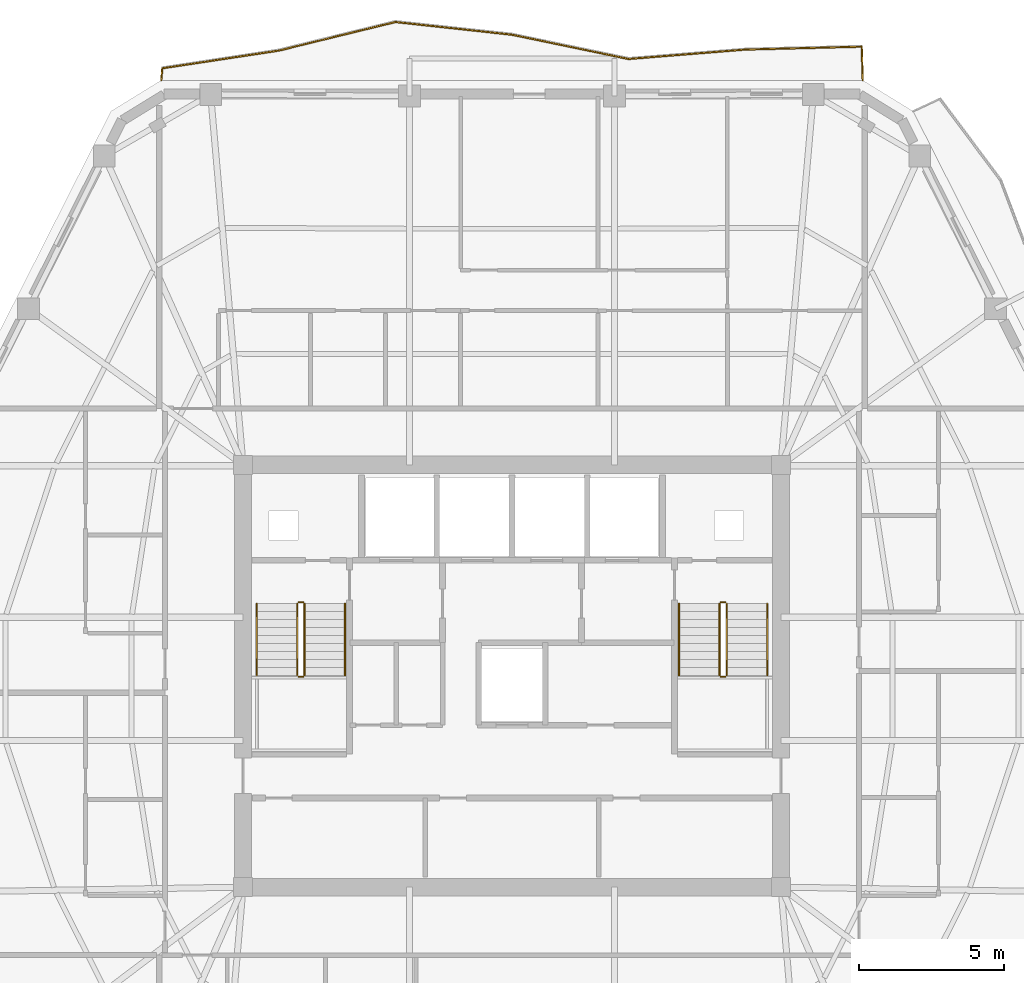
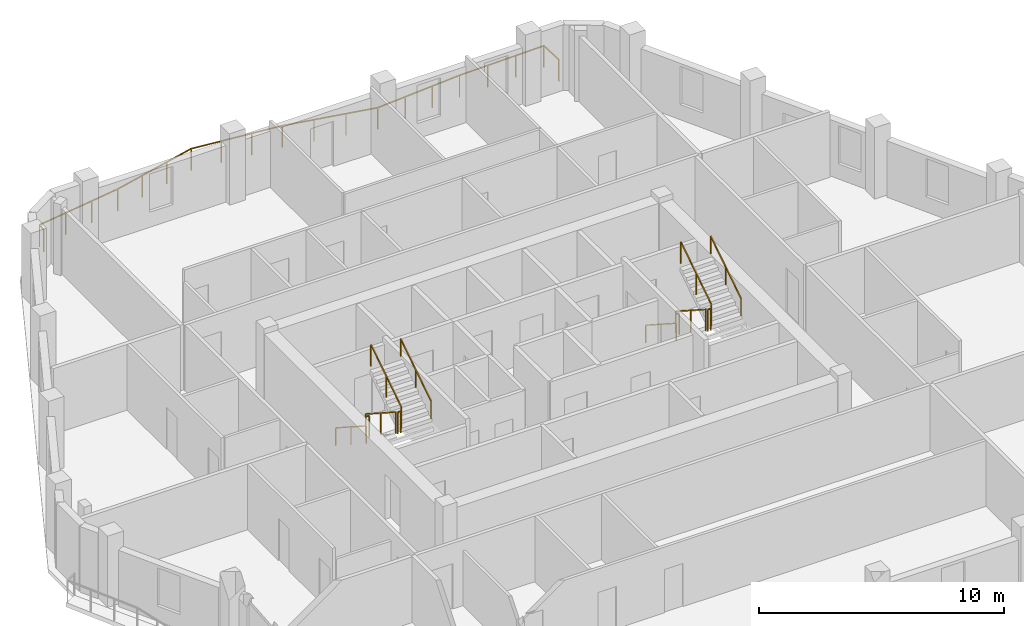
# One storey, part 9 of 10: 13 railings.
"""IFC4 building model written with IfcOpenShell, lengths in metres."""

from ifc_helpers import new_model, si_unit, direction, frame, origin, origin_2d, place, context, subcontext, project, spatial, rectangle, extrude, material, type_object, element, save


model = new_model("IFC4")

# Units and contexts
model_context = context("Model", 3, precision=1e-05, world=origin(), true_north=direction((0.0, 1.0)))
body_context = subcontext(model_context, "Body", "Model", "MODEL_VIEW")
ifc_project = project(units=[si_unit("LENGTHUNIT", "METRE"), si_unit("AREAUNIT", "SQUARE_METRE"), si_unit("VOLUMEUNIT", "CUBIC_METRE"), si_unit("PLANEANGLEUNIT", "RADIAN"), si_unit("MASSUNIT", "GRAM", prefix="KILO")], contexts=[model_context])

# Site, building, storey
site_placement = place(None, origin())
site = spatial("IfcSite", under=ifc_project, at=site_placement, CompositionType="ELEMENT")
building_placement = place(site_placement, origin())
building = spatial("IfcBuilding", under=site, at=building_placement, Name="Cinnabar Lancet Tower", CompositionType="ELEMENT")
storey_placement = place(building_placement, frame((0.0, 0.0, 218.050048828125)))
storey = spatial("IfcBuildingStorey", under=building, at=storey_placement, Name="L58", CompositionType="ELEMENT", Elevation=218.050048828125)

# Railings
ifc_material_1 = material(Name="Laminated safety glass and bronze stainless steel balustrade", Category="steel")
railing_type_1 = type_object("IfcRailingType", Name="ENV-RLG-BAL-1100", PredefinedType="BALUSTRADE", material=ifc_material_1)
railing_1_placement = place(storey_placement, frame((44.528076171875, 46.5, 0.0)))
element("IfcRailing", 1, at=railing_1_placement, inside=storey, type_object=railing_type_1, Name="L58 Face 4 Wave Balcony Balustrade", PredefinedType="BALUSTRADE", context=body_context, shape_type="SweptSolid", body=[
    extrude(rectangle(XDim=0.048095703125, YDim=0.048095703125, at=origin_2d()), frame((0.0, 0.0, 1.076171875), z_axis=(-0.029399051602, 0.999567754464, 0.0), x_axis=(-0.999567754464, -0.029399051602, 0.0)), (0.0, 0.0, 1.0), 1.16259765625),
    extrude(rectangle(XDim=0.048095703125, YDim=0.048095703125, at=origin_2d()), frame((-0.0341796875, 1.162109375, 1.076171875), z_axis=(-0.99969212841, -0.024812263009, 0.0), x_axis=(0.024812263009, -0.99969212841, 0.0)), (0.0, 0.0, 1.0), 4.0341796875),
    extrude(rectangle(XDim=0.048095703125, YDim=0.048095703125, at=origin_2d()), frame((-4.067138671875, 1.06201171875, 1.076171875), z_axis=(-0.996747159902, -0.080592178455, 0.0), x_axis=(0.080592178455, -0.996747159902, 0.0)), (0.0, 0.0, 1.0), 4.044189453125),
    extrude(rectangle(XDim=0.048095703125, YDim=0.048095703125, at=origin_2d()), frame((-8.09814453125, 0.736083984375, 1.076171875), z_axis=(-0.979015438129, 0.203786093501, 0.0), x_axis=(-0.203786093501, -0.979015438129, 0.0)), (0.0, 0.0, 1.0), 4.116455078125),
    extrude(rectangle(XDim=0.048095703125, YDim=0.048095703125, at=origin_2d()), frame((-12.128173828125, 1.574951171875, 1.076171875), z_axis=(-0.994096982736, 0.108495110102, 0.0), x_axis=(-0.108495110102, -0.994096982736, 0.0)), (0.0, 0.0, 1.0), 4.054931640625),
    extrude(rectangle(XDim=0.048095703125, YDim=0.048095703125, at=origin_2d()), frame((-16.1591796875, 2.014892578125, 1.076171875), z_axis=(-0.971246794255, -0.238074913944, 0.0), x_axis=(0.238074913944, -0.971246794255, 0.0)), (0.0, 0.0, 1.0), 4.149169921875),
    extrude(rectangle(XDim=0.048095703125, YDim=0.048095703125, at=origin_2d()), frame((-20.18896484375, 1.027099609375, 1.076171875), z_axis=(-0.988639343502, -0.150307180403, 0.0), x_axis=(0.150307180403, -0.988639343502, 0.0)), (0.0, 0.0, 1.0), 4.07861328125),
    extrude(rectangle(XDim=0.048095703125, YDim=0.048095703125, at=origin_2d()), frame((-24.22119140625, 0.4140625, 1.076171875), z_axis=(-0.084017916803, -0.996464244043, 0.0), x_axis=(0.996464244043, -0.084017916803, 0.0)), (0.0, 0.0, 1.0), 0.41552734375),
    extrude(rectangle(XDim=0.0419921875, YDim=0.0419921875, at=origin_2d()), origin(), (0.0, 0.0, 1.0), 1.052001953125),
    extrude(rectangle(XDim=0.0419921875, YDim=0.0419921875, at=origin_2d()), frame((-0.0341796875, 1.162109375, 0.0)), (0.0, 0.0, 1.0), 1.052001953125),
    extrude(rectangle(XDim=0.0419921875, YDim=0.0419921875, at=origin_2d()), frame((-1.37841796875, 1.128662109375, 0.0)), (0.0, 0.0, 1.0), 1.052001953125),
    extrude(rectangle(XDim=0.0419921875, YDim=0.0419921875, at=origin_2d()), frame((-2.722900390625, 1.095458984375, 0.0)), (0.0, 0.0, 1.0), 1.052001953125),
    extrude(rectangle(XDim=0.0419921875, YDim=0.0419921875, at=origin_2d()), frame((-4.067138671875, 1.06201171875, 0.0)), (0.0, 0.0, 1.0), 1.052001953125),
    extrude(rectangle(XDim=0.0419921875, YDim=0.0419921875, at=origin_2d()), frame((-5.410888671875, 0.953369140625, 0.0)), (0.0, 0.0, 1.0), 1.052001953125),
    extrude(rectangle(XDim=0.0419921875, YDim=0.0419921875, at=origin_2d()), frame((-6.75439453125, 0.8447265625, 0.0)), (0.0, 0.0, 1.0), 1.052001953125),
    extrude(rectangle(XDim=0.0419921875, YDim=0.0419921875, at=origin_2d()), frame((-8.09814453125, 0.736083984375, 0.0)), (0.0, 0.0, 1.0), 1.052001953125),
    extrude(rectangle(XDim=0.0419921875, YDim=0.0419921875, at=origin_2d()), frame((-9.44140625, 1.015625, 0.0)), (0.0, 0.0, 1.0), 1.052001953125),
    extrude(rectangle(XDim=0.0419921875, YDim=0.0419921875, at=origin_2d()), frame((-10.784912109375, 1.29541015625, 0.0)), (0.0, 0.0, 1.0), 1.052001953125),
    extrude(rectangle(XDim=0.0419921875, YDim=0.0419921875, at=origin_2d()), frame((-12.128173828125, 1.574951171875, 0.0)), (0.0, 0.0, 1.0), 1.052001953125),
    extrude(rectangle(XDim=0.0419921875, YDim=0.0419921875, at=origin_2d()), frame((-13.471923828125, 1.7216796875, 0.0)), (0.0, 0.0, 1.0), 1.052001953125),
    extrude(rectangle(XDim=0.0419921875, YDim=0.0419921875, at=origin_2d()), frame((-14.8154296875, 1.8681640625, 0.0)), (0.0, 0.0, 1.0), 1.052001953125),
    extrude(rectangle(XDim=0.0419921875, YDim=0.0419921875, at=origin_2d()), frame((-16.1591796875, 2.014892578125, 0.0)), (0.0, 0.0, 1.0), 1.052001953125),
    extrude(rectangle(XDim=0.0419921875, YDim=0.0419921875, at=origin_2d()), frame((-17.50244140625, 1.685546875, 0.0)), (0.0, 0.0, 1.0), 1.052001953125),
    extrude(rectangle(XDim=0.0419921875, YDim=0.0419921875, at=origin_2d()), frame((-18.845703125, 1.3564453125, 0.0)), (0.0, 0.0, 1.0), 1.052001953125),
    extrude(rectangle(XDim=0.0419921875, YDim=0.0419921875, at=origin_2d()), frame((-20.18896484375, 1.027099609375, 0.0)), (0.0, 0.0, 1.0), 1.052001953125),
    extrude(rectangle(XDim=0.0419921875, YDim=0.0419921875, at=origin_2d()), frame((-21.532958984375, 0.82275390625, 0.0)), (0.0, 0.0, 1.0), 1.052001953125),
    extrude(rectangle(XDim=0.0419921875, YDim=0.0419921875, at=origin_2d()), frame((-22.877197265625, 0.618408203125, 0.0)), (0.0, 0.0, 1.0), 1.052001953125),
    extrude(rectangle(XDim=0.0419921875, YDim=0.0419921875, at=origin_2d()), frame((-24.22119140625, 0.4140625, 0.0)), (0.0, 0.0, 1.0), 1.052001953125),
    extrude(rectangle(XDim=0.0419921875, YDim=0.0419921875, at=origin_2d()), frame((-24.256103515625, 0.0, 0.0)), (0.0, 0.0, 1.0), 1.052001953125),
])
ifc_material_2 = material(Name="Painted galvanized steel balustrade", Category="steel")
railing_type_2 = type_object("IfcRailingType", Name="GUARD-STAIR", PredefinedType="GUARDRAIL", material=ifc_material_2)
railing_2_placement = place(storey_placement, frame((24.97509765625, 28.39990234375, 0.177490234375)))
element("IfcRailing", 2, at=railing_2_placement, inside=storey, type_object=railing_type_2, Name="L58 ST-1 stair guard 1", PredefinedType="GUARDRAIL", context=body_context, shape_type="SweptSolid", body=[
    extrude(rectangle(XDim=0.048095703125, YDim=0.048095703125, at=origin_2d()), frame((0.0, 0.0, 1.076171875), z_axis=(0.0, -0.840183358697, 0.542302428327), x_axis=(1.0, 0.0, 0.0)), (0.0, 0.0, 1.0), 2.945556640625),
    extrude(rectangle(XDim=0.0419921875, YDim=0.0419921875, at=origin_2d()), origin(), (0.0, 0.0, 1.0), 1.052001953125),
    extrude(rectangle(XDim=0.0419921875, YDim=0.0419921875, at=origin_2d()), frame((0.0, -1.2373046875, 0.798828125)), (0.0, 0.0, 1.0), 1.052001953125),
    extrude(rectangle(XDim=0.0419921875, YDim=0.0419921875, at=origin_2d()), frame((0.0, -2.474853515625, 1.597412109375)), (0.0, 0.0, 1.0), 1.052001953125),
])
railing_3_placement = place(storey_placement, frame((25.02490234375, 25.875, 1.77490234375)))
element("IfcRailing", 3, at=railing_3_placement, inside=storey, type_object=railing_type_2, Name="L58 ST-1 stair guard 2", PredefinedType="GUARDRAIL", context=body_context, shape_type="SweptSolid", body=[
    extrude(rectangle(XDim=0.048095703125, YDim=0.048095703125, at=origin_2d()), frame((0.0, 0.0, 1.076171875), z_axis=(1.0, 0.0, 0.0), x_axis=(0.0, 1.0, 0.0)), (0.0, 0.0, 1.0), 0.150146484375),
    extrude(rectangle(XDim=0.0419921875, YDim=0.0419921875, at=origin_2d()), origin(), (0.0, 0.0, 1.0), 1.052001953125),
    extrude(rectangle(XDim=0.0419921875, YDim=0.0419921875, at=origin_2d()), frame((0.150146484375, 0.0, 0.0)), (0.0, 0.0, 1.0), 1.052001953125),
])
railing_4_placement = place(storey_placement, frame((25.22509765625, 25.925048828125, 1.952392578125)))
element("IfcRailing", 4, at=railing_4_placement, inside=storey, type_object=railing_type_2, Name="L58 ST-1 stair guard 3", PredefinedType="GUARDRAIL", context=body_context, shape_type="SweptSolid", body=[
    extrude(rectangle(XDim=0.048095703125, YDim=0.048095703125, at=origin_2d()), frame((0.0, 0.0, 1.076171875), z_axis=(0.0, 0.84014559416, 0.542360932049), x_axis=(-1.0, 0.0, 0.0)), (0.0, 0.0, 1.0), 2.94580078125),
    extrude(rectangle(XDim=0.0419921875, YDim=0.0419921875, at=origin_2d()), origin(), (0.0, 0.0, 1.0), 1.052001953125),
    extrude(rectangle(XDim=0.0419921875, YDim=0.0419921875, at=origin_2d()), frame((0.0, 1.2373046875, 0.798828125)), (0.0, 0.0, 1.0), 1.052001953125),
    extrude(rectangle(XDim=0.0419921875, YDim=0.0419921875, at=origin_2d()), frame((0.0, 2.474853515625, 1.59765625)), (0.0, 0.0, 1.0), 1.052001953125),
])
railing_5_placement = place(storey_placement, frame((25.02490234375, 28.449951171875, 0.0)))
element("IfcRailing", 5, at=railing_5_placement, inside=storey, type_object=railing_type_2, Name="L58 ST-1 stair guard 4", PredefinedType="GUARDRAIL", context=body_context, shape_type="SweptSolid", body=[
    extrude(rectangle(XDim=0.048095703125, YDim=0.048095703125, at=origin_2d()), frame((0.0, 0.0, 1.076171875), z_axis=(1.0, 0.0, 0.0), x_axis=(0.0, 1.0, 0.0)), (0.0, 0.0, 1.0), 0.150146484375),
    extrude(rectangle(XDim=0.0419921875, YDim=0.0419921875, at=origin_2d()), origin(), (0.0, 0.0, 1.0), 1.052001953125),
    extrude(rectangle(XDim=0.0419921875, YDim=0.0419921875, at=origin_2d()), frame((0.150146484375, 0.0, 0.0)), (0.0, 0.0, 1.0), 1.052001953125),
])
railing_6_placement = place(storey_placement, frame((39.574951171875, 28.39990234375, 0.177490234375)))
element("IfcRailing", 6, at=railing_6_placement, inside=storey, type_object=railing_type_2, Name="L58 ST-2 stair guard 1", PredefinedType="GUARDRAIL", context=body_context, shape_type="SweptSolid", body=[
    extrude(rectangle(XDim=0.048095703125, YDim=0.048095703125, at=origin_2d()), frame((0.0, 0.0, 1.076171875), z_axis=(0.0, -0.840183358697, 0.542302428327), x_axis=(1.0, 0.0, 0.0)), (0.0, 0.0, 1.0), 2.945556640625),
    extrude(rectangle(XDim=0.0419921875, YDim=0.0419921875, at=origin_2d()), origin(), (0.0, 0.0, 1.0), 1.052001953125),
    extrude(rectangle(XDim=0.0419921875, YDim=0.0419921875, at=origin_2d()), frame((0.0, -1.2373046875, 0.798828125)), (0.0, 0.0, 1.0), 1.052001953125),
    extrude(rectangle(XDim=0.0419921875, YDim=0.0419921875, at=origin_2d()), frame((0.0, -2.474853515625, 1.597412109375)), (0.0, 0.0, 1.0), 1.052001953125),
])
railing_7_placement = place(storey_placement, frame((39.625, 25.875, 1.77490234375)))
element("IfcRailing", 7, at=railing_7_placement, inside=storey, type_object=railing_type_2, Name="L58 ST-2 stair guard 2", PredefinedType="GUARDRAIL", context=body_context, shape_type="SweptSolid", body=[
    extrude(rectangle(XDim=0.048095703125, YDim=0.048095703125, at=origin_2d()), frame((0.0, 0.0, 1.076171875), z_axis=(1.0, 0.0, 0.0), x_axis=(0.0, 1.0, 0.0)), (0.0, 0.0, 1.0), 0.14990234375),
    extrude(rectangle(XDim=0.0419921875, YDim=0.0419921875, at=origin_2d()), origin(), (0.0, 0.0, 1.0), 1.052001953125),
    extrude(rectangle(XDim=0.0419921875, YDim=0.0419921875, at=origin_2d()), frame((0.14990234375, 0.0, 0.0)), (0.0, 0.0, 1.0), 1.052001953125),
])
railing_8_placement = place(storey_placement, frame((39.824951171875, 25.925048828125, 1.952392578125)))
element("IfcRailing", 8, at=railing_8_placement, inside=storey, type_object=railing_type_2, Name="L58 ST-2 stair guard 3", PredefinedType="GUARDRAIL", context=body_context, shape_type="SweptSolid", body=[
    extrude(rectangle(XDim=0.048095703125, YDim=0.048095703125, at=origin_2d()), frame((0.0, 0.0, 1.076171875), z_axis=(0.0, 0.84014559416, 0.542360932049), x_axis=(-1.0, 0.0, 0.0)), (0.0, 0.0, 1.0), 2.94580078125),
    extrude(rectangle(XDim=0.0419921875, YDim=0.0419921875, at=origin_2d()), origin(), (0.0, 0.0, 1.0), 1.052001953125),
    extrude(rectangle(XDim=0.0419921875, YDim=0.0419921875, at=origin_2d()), frame((0.0, 1.2373046875, 0.798828125)), (0.0, 0.0, 1.0), 1.052001953125),
    extrude(rectangle(XDim=0.0419921875, YDim=0.0419921875, at=origin_2d()), frame((0.0, 2.474853515625, 1.59765625)), (0.0, 0.0, 1.0), 1.052001953125),
])
railing_9_placement = place(storey_placement, frame((39.625, 28.449951171875, 0.0)))
element("IfcRailing", 9, at=railing_9_placement, inside=storey, type_object=railing_type_2, Name="L58 ST-2 stair guard 4", PredefinedType="GUARDRAIL", context=body_context, shape_type="SweptSolid", body=[
    extrude(rectangle(XDim=0.048095703125, YDim=0.048095703125, at=origin_2d()), frame((0.0, 0.0, 1.076171875), z_axis=(1.0, 0.0, 0.0), x_axis=(0.0, 1.0, 0.0)), (0.0, 0.0, 1.0), 0.14990234375),
    extrude(rectangle(XDim=0.0419921875, YDim=0.0419921875, at=origin_2d()), origin(), (0.0, 0.0, 1.0), 1.052001953125),
    extrude(rectangle(XDim=0.0419921875, YDim=0.0419921875, at=origin_2d()), frame((0.14990234375, 0.0, 0.0)), (0.0, 0.0, 1.0), 1.052001953125),
])
ifc_material_3 = material(Name="Brushed stainless steel handrail", Category="steel")
railing_type_3 = type_object("IfcRailingType", Name="HANDRAIL-STAIR", PredefinedType="HANDRAIL", material=ifc_material_3)
railing_10_placement = place(storey_placement, frame((23.574951171875, 28.39990234375, 0.177490234375)))
element("IfcRailing", 10, at=railing_10_placement, inside=storey, type_object=railing_type_3, Name="L58 ST-1 stair handrail 1", PredefinedType="HANDRAIL", context=body_context, shape_type="SweptSolid", body=[
    extrude(rectangle(XDim=0.048095703125, YDim=0.048095703125, at=origin_2d()), frame((0.0, 0.0, 0.8759765625), z_axis=(0.0, -0.840183358697, 0.542302428327), x_axis=(1.0, 0.0, 0.0)), (0.0, 0.0, 1.0), 2.945556640625),
    extrude(rectangle(XDim=0.0419921875, YDim=0.0419921875, at=origin_2d()), origin(), (0.0, 0.0, 1.0), 0.851806640625),
    extrude(rectangle(XDim=0.0419921875, YDim=0.0419921875, at=origin_2d()), frame((0.0, -1.2373046875, 0.798828125)), (0.0, 0.0, 1.0), 0.851806640625),
    extrude(rectangle(XDim=0.0419921875, YDim=0.0419921875, at=origin_2d()), frame((0.0, -2.474853515625, 1.597412109375)), (0.0, 0.0, 1.0), 0.851806640625),
])
railing_11_placement = place(storey_placement, frame((26.625, 25.925048828125, 1.952392578125)))
element("IfcRailing", 11, at=railing_11_placement, inside=storey, type_object=railing_type_3, Name="L58 ST-1 stair handrail 2", PredefinedType="HANDRAIL", context=body_context, shape_type="SweptSolid", body=[
    extrude(rectangle(XDim=0.048095703125, YDim=0.048095703125, at=origin_2d()), frame((0.0, 0.0, 0.8759765625), z_axis=(0.0, 0.84014559416, 0.542360932049), x_axis=(-1.0, 0.0, 0.0)), (0.0, 0.0, 1.0), 2.94580078125),
    extrude(rectangle(XDim=0.0419921875, YDim=0.0419921875, at=origin_2d()), origin(), (0.0, 0.0, 1.0), 0.851806640625),
    extrude(rectangle(XDim=0.0419921875, YDim=0.0419921875, at=origin_2d()), frame((0.0, 1.2373046875, 0.798828125)), (0.0, 0.0, 1.0), 0.851806640625),
    extrude(rectangle(XDim=0.0419921875, YDim=0.0419921875, at=origin_2d()), frame((0.0, 2.474853515625, 1.59765625)), (0.0, 0.0, 1.0), 0.851806640625),
])
railing_12_placement = place(storey_placement, frame((38.175048828125, 28.39990234375, 0.177490234375)))
element("IfcRailing", 12, at=railing_12_placement, inside=storey, type_object=railing_type_3, Name="L58 ST-2 stair handrail 1", PredefinedType="HANDRAIL", context=body_context, shape_type="SweptSolid", body=[
    extrude(rectangle(XDim=0.048095703125, YDim=0.048095703125, at=origin_2d()), frame((0.0, 0.0, 0.8759765625), z_axis=(0.0, -0.840183358697, 0.542302428327), x_axis=(1.0, 0.0, 0.0)), (0.0, 0.0, 1.0), 2.945556640625),
    extrude(rectangle(XDim=0.0419921875, YDim=0.0419921875, at=origin_2d()), origin(), (0.0, 0.0, 1.0), 0.851806640625),
    extrude(rectangle(XDim=0.0419921875, YDim=0.0419921875, at=origin_2d()), frame((0.0, -1.2373046875, 0.798828125)), (0.0, 0.0, 1.0), 0.851806640625),
    extrude(rectangle(XDim=0.0419921875, YDim=0.0419921875, at=origin_2d()), frame((0.0, -2.474853515625, 1.597412109375)), (0.0, 0.0, 1.0), 0.851806640625),
])
railing_13_placement = place(storey_placement, frame((41.22509765625, 25.925048828125, 1.952392578125)))
element("IfcRailing", 13, at=railing_13_placement, inside=storey, type_object=railing_type_3, Name="L58 ST-2 stair handrail 2", PredefinedType="HANDRAIL", context=body_context, shape_type="SweptSolid", body=[
    extrude(rectangle(XDim=0.048095703125, YDim=0.048095703125, at=origin_2d()), frame((0.0, 0.0, 0.8759765625), z_axis=(0.0, 0.84014559416, 0.542360932049), x_axis=(-1.0, 0.0, 0.0)), (0.0, 0.0, 1.0), 2.94580078125),
    extrude(rectangle(XDim=0.0419921875, YDim=0.0419921875, at=origin_2d()), origin(), (0.0, 0.0, 1.0), 0.851806640625),
    extrude(rectangle(XDim=0.0419921875, YDim=0.0419921875, at=origin_2d()), frame((0.0, 1.2373046875, 0.798828125)), (0.0, 0.0, 1.0), 0.851806640625),
    extrude(rectangle(XDim=0.0419921875, YDim=0.0419921875, at=origin_2d()), frame((0.0, 2.474853515625, 1.59765625)), (0.0, 0.0, 1.0), 0.851806640625),
])

save(model, "model.ifc")
